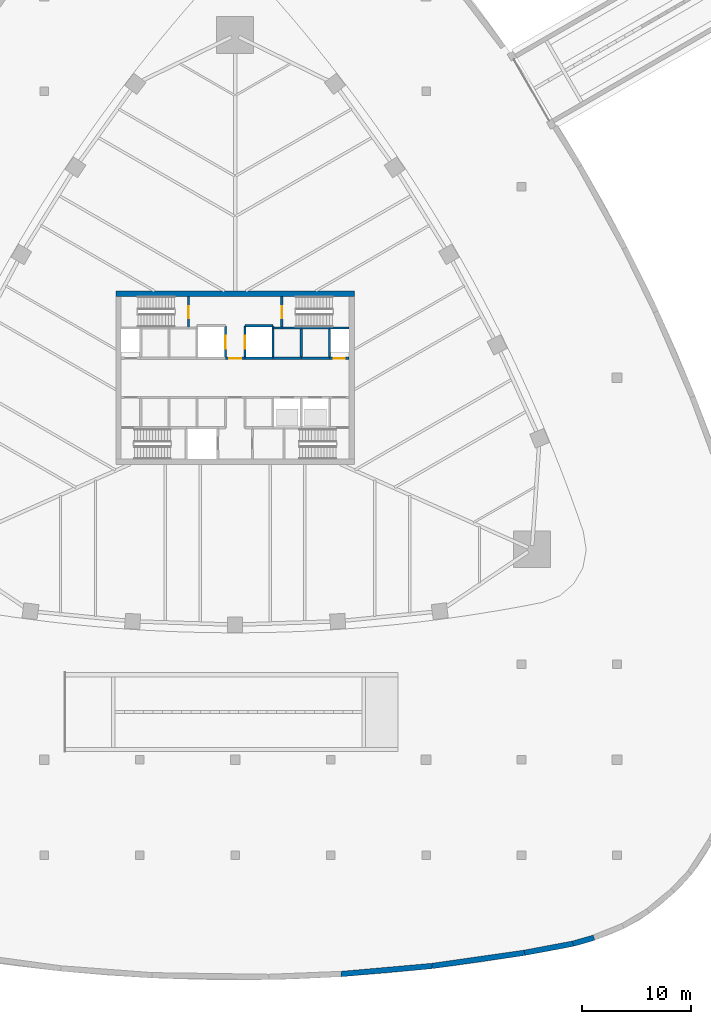
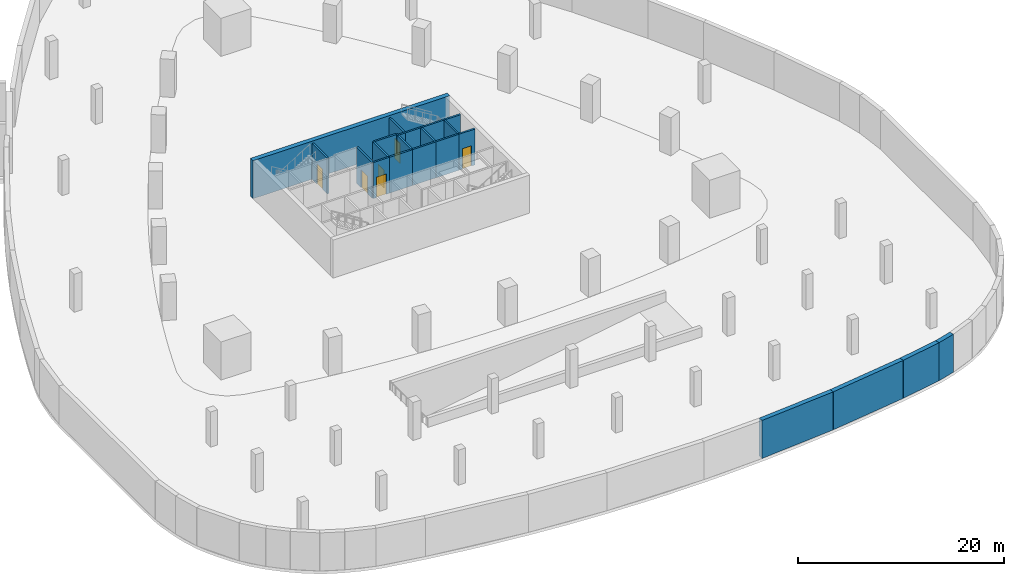
# One storey, part 5 of 10: 23 walls, 6 doors, 6 openings.
"""IFC4 building model written with IfcOpenShell, lengths in metres."""

from ifc_helpers import new_model, si_unit, direction, frame, frame_2d, origin, place, context, subcontext, project, spatial, rectangle, extrude, material, layer, layer_set, type_object, element, fill, save


model = new_model("IFC4")

# Units and contexts
model_context = context("Model", 3, precision=1e-05, world=origin(), true_north=direction((0.0, 1.0)))
body_context = subcontext(model_context, "Body", "Model", "MODEL_VIEW")
ifc_project = project(units=[si_unit("LENGTHUNIT", "METRE"), si_unit("AREAUNIT", "SQUARE_METRE"), si_unit("VOLUMEUNIT", "CUBIC_METRE"), si_unit("PLANEANGLEUNIT", "RADIAN"), si_unit("MASSUNIT", "GRAM", prefix="KILO")], contexts=[model_context])

# Site, building, storey
site_placement = place(None, origin())
site = spatial("IfcSite", under=ifc_project, at=site_placement, CompositionType="ELEMENT")
building_placement = place(site_placement, origin())
building = spatial("IfcBuilding", under=site, at=building_placement, Name="Sierra Prisma Convention Tower", CompositionType="ELEMENT")
storey_placement = place(building_placement, frame((0.0, 0.0, -4.5)))
storey = spatial("IfcBuildingStorey", under=building, at=storey_placement, Name="B1", CompositionType="ELEMENT", Elevation=-4.5)

# Wall, opening, door
ifc_material_1 = material(Name="Concrete C30/37", Category="concrete")
ifc_layer_1 = layer(ifc_material_1, 0.199951171875)
ifc_layer_set_1 = layer_set([ifc_layer_1], Name="Core wall RC 200 C30/37")
wall_type_1 = type_object("IfcWallType", Name="Core wall RC 200 C30/37", PredefinedType="SOLIDWALL", material=ifc_layer_set_1)
wall_1_placement = place(storey_placement, frame((-4.300048828125, 4.60009765625, 0.0), z_axis=(0.0, 0.0, 1.0), x_axis=(0.0, 1.0, 0.0)))
wall_1 = element("IfcWall", 1, at=wall_1_placement, inside=storey, type_object=wall_type_1, Name="Core wall B1 20", PredefinedType="SOLIDWALL", context=body_context, shape_type="SweptSolid", body=[
    extrude(rectangle(XDim=2.89990234375, YDim=0.199951171875, at=frame_2d((1.449951171875, 0.0))), origin(), (0.0, 0.0, 1.0), 4.25),
])
opening_1_placement = place(wall_1_placement, frame((0.89990234375, 0.0, 0.0)))
opening_1 = element("IfcOpeningElement", 2, at=opening_1_placement, cuts=wall_1, Name="Opening B1-D014", PredefinedType="OPENING", context=body_context, shape_type="SweptSolid", body=[
    extrude(rectangle(XDim=1.10009765625, YDim=2.39990234375, at=frame_2d((0.550048828125, 1.199951171875))), frame((0.0, 0.10009765625, 0.0), z_axis=(0.0, -1.0, 0.0), x_axis=(1.0, 0.0, 0.0)), (0.0, 0.0, 1.0), 0.199951171875),
])
ifc_material_2 = material(Name="Steel fire door leaf", Category="steel")
door_type_1 = type_object("IfcDoorType", Name="Door 1100x2400 FD90S", OperationType="SINGLE_SWING_LEFT", PredefinedType="DOOR", material=ifc_material_2)
door_1_placement = place(opening_1_placement, origin())
door_1 = element("IfcDoor", 3, at=door_1_placement, inside=storey, type_object=door_type_1, Name="Door B1 14", OperationType="SINGLE_SWING_RIGHT", OverallHeight=2.39990234375, OverallWidth=1.10009765625, PredefinedType="DOOR", context=body_context, shape_type="SweptSolid", body=[
    extrude(rectangle(XDim=1.10009765625, YDim=2.39990234375, at=frame_2d((0.550048828125, 1.199951171875))), frame((0.0, 0.02490234375, 0.0), z_axis=(0.0, -1.0, 0.0), x_axis=(1.0, 0.0, 0.0)), (0.0, 0.0, 1.0), 0.050048828125),
])
fill(opening_1, door_1)

wall_2_placement = place(storey_placement, frame((-0.89990234375, 1.800048828125, 0.0), z_axis=(0.0, 0.0, 1.0), x_axis=(0.0, 1.0, 0.0)))
wall_2 = element("IfcWall", 4, at=wall_2_placement, inside=storey, type_object=wall_type_1, Name="Core wall B1 26", PredefinedType="SOLIDWALL", context=body_context, shape_type="SweptSolid", body=[
    extrude(rectangle(XDim=3.0, YDim=0.199951171875, at=frame_2d((1.5, 0.0))), origin(), (0.0, 0.0, 1.0), 4.25),
])
opening_2_placement = place(wall_2_placement, frame((0.89990234375, 0.0, 0.0)))
opening_2 = element("IfcOpeningElement", 5, at=opening_2_placement, cuts=wall_2, Name="Opening B1-D003", PredefinedType="OPENING", context=body_context, shape_type="SweptSolid", body=[
    extrude(rectangle(XDim=1.199951171875, YDim=2.10009765625, at=frame_2d((0.60009765625, 1.050048828125))), frame((0.0, 0.10009765625, 0.0), z_axis=(0.0, -1.0, 0.0), x_axis=(1.0, 0.0, 0.0)), (0.0, 0.0, 1.0), 0.199951171875),
])
ifc_material_3 = material(Name="Steel fire door leaf", Category="steel")
door_type_2 = type_object("IfcDoorType", Name="Door 1200x2100 EI 90 sliding lift landing", OperationType="SLIDING_TO_LEFT", PredefinedType="DOOR", material=ifc_material_3)
door_2_placement = place(opening_2_placement, origin())
door_2 = element("IfcDoor", 6, at=door_2_placement, inside=storey, type_object=door_type_2, Name="Door B1 3", OperationType="SLIDING_TO_LEFT", OverallHeight=2.10009765625, OverallWidth=1.199951171875, PredefinedType="DOOR", context=body_context, shape_type="SweptSolid", body=[
    extrude(rectangle(XDim=1.199951171875, YDim=2.10009765625, at=frame_2d((0.60009765625, 1.050048828125))), frame((0.0, 0.02490234375, 0.0), z_axis=(0.0, -1.0, 0.0), x_axis=(1.0, 0.0, 0.0)), (0.0, 0.0, 1.0), 0.050048828125),
])
fill(opening_2, door_2)

wall_3_placement = place(storey_placement, frame((0.89990234375, 1.800048828125, 0.0), z_axis=(0.0, 0.0, 1.0), x_axis=(-1.0, 0.0, 0.0)))
wall_3 = element("IfcWall", 7, at=wall_3_placement, inside=storey, type_object=wall_type_1, Name="Core wall B1 33", PredefinedType="SOLIDWALL", context=body_context, shape_type="SweptSolid", body=[
    extrude(rectangle(XDim=1.7998046875, YDim=0.199951171875, at=frame_2d((0.89990234375, 0.0))), origin(), (0.0, 0.0, 1.0), 4.25),
])
opening_3_placement = place(wall_3_placement, frame((0.35009765625, 0.0, 0.0)))
opening_3 = element("IfcOpeningElement", 8, at=opening_3_placement, cuts=wall_3, Name="Opening B1-D008", PredefinedType="OPENING", context=body_context, shape_type="SweptSolid", body=[
    extrude(rectangle(XDim=1.10009765625, YDim=2.39990234375, at=frame_2d((0.550048828125, 1.199951171875))), frame((0.0, 0.10009765625, 0.0), z_axis=(0.0, -1.0, 0.0), x_axis=(1.0, 0.0, 0.0)), (0.0, 0.0, 1.0), 0.199951171875),
])
ifc_material_4 = material(Name="Steel fire door leaf", Category="steel")
door_type_3 = type_object("IfcDoorType", Name="Door 1100x2400 FD60S", OperationType="SINGLE_SWING_LEFT", PredefinedType="DOOR", material=ifc_material_4)
door_3_placement = place(opening_3_placement, origin())
door_3 = element("IfcDoor", 9, at=door_3_placement, inside=storey, type_object=door_type_3, Name="Door B1 8", OperationType="SINGLE_SWING_RIGHT", OverallHeight=2.39990234375, OverallWidth=1.10009765625, PredefinedType="DOOR", context=body_context, shape_type="SweptSolid", body=[
    extrude(rectangle(XDim=1.10009765625, YDim=2.39990234375, at=frame_2d((0.550048828125, 1.199951171875))), frame((0.0, 0.02490234375, 0.0), z_axis=(0.0, -1.0, 0.0), x_axis=(1.0, 0.0, 0.0)), (0.0, 0.0, 1.0), 0.050048828125),
])
fill(opening_3, door_3)

# Walls
wall_4_placement = place(storey_placement, frame((3.5, 1.800048828125, 0.0), z_axis=(0.0, 0.0, 1.0), x_axis=(-1.0, 0.0, 0.0)))
element("IfcWall", 10, at=wall_4_placement, inside=storey, type_object=wall_type_1, Name="Core wall B1 37", PredefinedType="SOLIDWALL", context=body_context, shape_type="SweptSolid", body=[
    extrude(rectangle(XDim=2.60009765625, YDim=0.199951171875, at=frame_2d((1.300048828125, 0.0))), origin(), (0.0, 0.0, 1.0), 4.25),
])
wall_5_placement = place(storey_placement, frame((3.5, 4.60009765625, 0.0), z_axis=(0.0, 0.0, 1.0), x_axis=(0.0, 1.0, 0.0)))
element("IfcWall", 11, at=wall_5_placement, inside=storey, type_object=wall_type_1, Name="Core wall B1 38", PredefinedType="SOLIDWALL", context=body_context, shape_type="SweptSolid", body=[
    extrude(rectangle(XDim=0.199951171875, YDim=0.199951171875, at=frame_2d((0.10009765625, 0.0))), origin(), (0.0, 0.0, 1.0), 4.25),
])
wall_6_placement = place(storey_placement, frame((3.5, 4.800048828125, 0.0), z_axis=(0.0, 0.0, 1.0), x_axis=(-1.0, 0.0, 0.0)))
element("IfcWall", 12, at=wall_6_placement, inside=storey, type_object=wall_type_1, Name="Core wall B1 39", PredefinedType="SOLIDWALL", context=body_context, shape_type="SweptSolid", body=[
    extrude(rectangle(XDim=2.60009765625, YDim=0.199951171875, at=frame_2d((1.300048828125, 0.0))), origin(), (0.0, 0.0, 1.0), 4.25),
])

# Wall, opening, door
wall_7_placement = place(storey_placement, frame((0.89990234375, 4.800048828125, 0.0), z_axis=(0.0, 0.0, 1.0), x_axis=(0.0, -1.0, 0.0)))
wall_7 = element("IfcWall", 13, at=wall_7_placement, inside=storey, type_object=wall_type_1, Name="Core wall B1 40", PredefinedType="SOLIDWALL", context=body_context, shape_type="SweptSolid", body=[
    extrude(rectangle(XDim=3.0, YDim=0.199951171875, at=frame_2d((1.5, 0.0))), origin(), (0.0, 0.0, 1.0), 4.25),
])
opening_4_placement = place(wall_7_placement, frame((0.89990234375, 0.0, 0.0)))
opening_4 = element("IfcOpeningElement", 14, at=opening_4_placement, cuts=wall_7, Name="Opening B1-D004", PredefinedType="OPENING", context=body_context, shape_type="SweptSolid", body=[
    extrude(rectangle(XDim=1.199951171875, YDim=2.10009765625, at=frame_2d((0.60009765625, 1.050048828125))), frame((0.0, 0.10009765625, 0.0), z_axis=(0.0, -1.0, 0.0), x_axis=(1.0, 0.0, 0.0)), (0.0, 0.0, 1.0), 0.199951171875),
])
door_4_placement = place(opening_4_placement, origin())
door_4 = element("IfcDoor", 15, at=door_4_placement, inside=storey, type_object=door_type_2, Name="Door B1 4", OperationType="SLIDING_TO_RIGHT", OverallHeight=2.10009765625, OverallWidth=1.199951171875, PredefinedType="DOOR", context=body_context, shape_type="SweptSolid", body=[
    extrude(rectangle(XDim=1.199951171875, YDim=2.10009765625, at=frame_2d((0.60009765625, 1.050048828125))), frame((0.0, 0.02490234375, 0.0), z_axis=(0.0, -1.0, 0.0), x_axis=(1.0, 0.0, 0.0)), (0.0, 0.0, 1.0), 0.050048828125),
])
fill(opening_4, door_4)

# Walls
wall_8_placement = place(storey_placement, frame((6.10009765625, 1.800048828125, 0.0), z_axis=(0.0, 0.0, 1.0), x_axis=(-1.0, 0.0, 0.0)))
element("IfcWall", 16, at=wall_8_placement, inside=storey, type_object=wall_type_1, Name="Core wall B1 46", PredefinedType="SOLIDWALL", context=body_context, shape_type="SweptSolid", body=[
    extrude(rectangle(XDim=2.60009765625, YDim=0.199951171875, at=frame_2d((1.300048828125, 0.0))), origin(), (0.0, 0.0, 1.0), 4.25),
])
wall_9_placement = place(storey_placement, frame((3.5, 1.800048828125, 0.0), z_axis=(0.0, 0.0, 1.0), x_axis=(0.0, 1.0, 0.0)))
element("IfcWall", 17, at=wall_9_placement, inside=storey, type_object=wall_type_1, Name="Core wall B1 47", PredefinedType="SOLIDWALL", context=body_context, shape_type="SweptSolid", body=[
    extrude(rectangle(XDim=2.800048828125, YDim=0.199951171875, at=frame_2d((1.39990234375, 0.0))), origin(), (0.0, 0.0, 1.0), 4.25),
])
wall_10_placement = place(storey_placement, frame((4.300048828125, 4.60009765625, 0.0), z_axis=(0.0, 0.0, 1.0), x_axis=(-1.0, 0.0, 0.0)))
element("IfcWall", 18, at=wall_10_placement, inside=storey, type_object=wall_type_1, Name="Core wall B1 48", PredefinedType="SOLIDWALL", context=body_context, shape_type="SweptSolid", body=[
    extrude(rectangle(XDim=0.800048828125, YDim=0.199951171875, at=frame_2d((0.39990234375, 0.0))), origin(), (0.0, 0.0, 1.0), 4.25),
])
wall_11_placement = place(storey_placement, frame((6.10009765625, 4.60009765625, 0.0), z_axis=(0.0, 0.0, 1.0), x_axis=(-1.0, 0.0, 0.0)))
element("IfcWall", 19, at=wall_11_placement, inside=storey, type_object=wall_type_1, Name="Core wall B1 49", PredefinedType="SOLIDWALL", context=body_context, shape_type="SweptSolid", body=[
    extrude(rectangle(XDim=1.800048828125, YDim=0.199951171875, at=frame_2d((0.89990234375, 0.0))), origin(), (0.0, 0.0, 1.0), 4.25),
])

# Wall, opening, door
wall_12_placement = place(storey_placement, frame((4.300048828125, 7.5, 0.0), z_axis=(0.0, 0.0, 1.0), x_axis=(0.0, -1.0, 0.0)))
wall_12 = element("IfcWall", 20, at=wall_12_placement, inside=storey, type_object=wall_type_1, Name="Core wall B1 50", PredefinedType="SOLIDWALL", context=body_context, shape_type="SweptSolid", body=[
    extrude(rectangle(XDim=2.89990234375, YDim=0.199951171875, at=frame_2d((1.449951171875, 0.0))), origin(), (0.0, 0.0, 1.0), 4.25),
])
opening_5_placement = place(wall_12_placement, frame((0.89990234375, 0.0, 0.0)))
opening_5 = element("IfcOpeningElement", 21, at=opening_5_placement, cuts=wall_12, Name="Opening B1-D015", PredefinedType="OPENING", context=body_context, shape_type="SweptSolid", body=[
    extrude(rectangle(XDim=1.10009765625, YDim=2.39990234375, at=frame_2d((0.550048828125, 1.199951171875))), frame((0.0, 0.10009765625, 0.0), z_axis=(0.0, -1.0, 0.0), x_axis=(1.0, 0.0, 0.0)), (0.0, 0.0, 1.0), 0.199951171875),
])
door_5_placement = place(opening_5_placement, origin())
door_5 = element("IfcDoor", 22, at=door_5_placement, inside=storey, type_object=door_type_1, Name="Door B1 15", OperationType="SINGLE_SWING_RIGHT", OverallHeight=2.39990234375, OverallWidth=1.10009765625, PredefinedType="DOOR", context=body_context, shape_type="SweptSolid", body=[
    extrude(rectangle(XDim=1.10009765625, YDim=2.39990234375, at=frame_2d((0.550048828125, 1.199951171875))), frame((0.0, 0.02490234375, 0.0), z_axis=(0.0, -1.0, 0.0), x_axis=(1.0, 0.0, 0.0)), (0.0, 0.0, 1.0), 0.050048828125),
])
fill(opening_5, door_5)

# Walls
wall_13_placement = place(storey_placement, frame((8.699951171875, 1.800048828125, 0.0), z_axis=(0.0, 0.0, 1.0), x_axis=(-1.0, 0.0, 0.0)))
element("IfcWall", 23, at=wall_13_placement, inside=storey, type_object=wall_type_1, Name="Core wall B1 56", PredefinedType="SOLIDWALL", context=body_context, shape_type="SweptSolid", body=[
    extrude(rectangle(XDim=2.599853515625, YDim=0.199951171875, at=frame_2d((1.2998046875, 0.0))), origin(), (0.0, 0.0, 1.0), 4.25),
])
wall_14_placement = place(storey_placement, frame((6.10009765625, 1.800048828125, 0.0), z_axis=(0.0, 0.0, 1.0), x_axis=(0.0, 1.0, 0.0)))
element("IfcWall", 24, at=wall_14_placement, inside=storey, type_object=wall_type_1, Name="Core wall B1 57", PredefinedType="SOLIDWALL", context=body_context, shape_type="SweptSolid", body=[
    extrude(rectangle(XDim=2.800048828125, YDim=0.199951171875, at=frame_2d((1.39990234375, 0.0))), origin(), (0.0, 0.0, 1.0), 4.25),
])
wall_15_placement = place(storey_placement, frame((8.699951171875, 4.60009765625, 0.0), z_axis=(0.0, 0.0, 1.0), x_axis=(-1.0, 0.0, 0.0)))
element("IfcWall", 25, at=wall_15_placement, inside=storey, type_object=wall_type_1, Name="Core wall B1 58", PredefinedType="SOLIDWALL", context=body_context, shape_type="SweptSolid", body=[
    extrude(rectangle(XDim=2.599853515625, YDim=0.199951171875, at=frame_2d((1.2998046875, 0.0))), origin(), (0.0, 0.0, 1.0), 4.25),
])

# Wall, opening, door
wall_16_placement = place(storey_placement, frame((10.5, 1.800048828125, 0.0), z_axis=(0.0, 0.0, 1.0), x_axis=(-1.0, 0.0, 0.0)))
wall_16 = element("IfcWall", 26, at=wall_16_placement, inside=storey, type_object=wall_type_1, Name="Core wall B1 62", PredefinedType="SOLIDWALL", context=body_context, shape_type="SweptSolid", body=[
    extrude(rectangle(XDim=1.800048828125, YDim=0.199951171875, at=frame_2d((0.89990234375, 0.0))), origin(), (0.0, 0.0, 1.0), 4.25),
])
opening_6_placement = place(wall_16_placement, frame((0.39990234375, 0.0, 0.0)))
opening_6 = element("IfcOpeningElement", 27, at=opening_6_placement, cuts=wall_16, Name="Opening B1-D011", PredefinedType="OPENING", context=body_context, shape_type="SweptSolid", body=[
    extrude(rectangle(XDim=1.0, YDim=2.39990234375, at=frame_2d((0.5, 1.199951171875))), frame((0.0, 0.10009765625, 0.0), z_axis=(0.0, -1.0, 0.0), x_axis=(1.0, 0.0, 0.0)), (0.0, 0.0, 1.0), 0.199951171875),
])
ifc_material_5 = material(Name="Steel fire door leaf", Category="steel")
door_type_4 = type_object("IfcDoorType", Name="Door 1000x2400 FD60S", OperationType="SINGLE_SWING_LEFT", PredefinedType="DOOR", material=ifc_material_5)
door_6_placement = place(opening_6_placement, origin())
door_6 = element("IfcDoor", 28, at=door_6_placement, inside=storey, type_object=door_type_4, Name="Door B1 11", OperationType="SINGLE_SWING_LEFT", OverallHeight=2.39990234375, OverallWidth=1.0, PredefinedType="DOOR", context=body_context, shape_type="SweptSolid", body=[
    extrude(rectangle(XDim=1.0, YDim=2.39990234375, at=frame_2d((0.5, 1.199951171875))), frame((0.0, 0.02490234375, 0.0), z_axis=(0.0, -1.0, 0.0), x_axis=(1.0, 0.0, 0.0)), (0.0, 0.0, 1.0), 0.050048828125),
])
fill(opening_6, door_6)

# Walls
wall_17_placement = place(storey_placement, frame((8.699951171875, 4.60009765625, 0.0), z_axis=(0.0, 0.0, 1.0), x_axis=(0.0, -1.0, 0.0)))
element("IfcWall", 29, at=wall_17_placement, inside=storey, type_object=wall_type_1, Name="Core wall B1 63", PredefinedType="SOLIDWALL", context=body_context, shape_type="SweptSolid", body=[
    extrude(rectangle(XDim=2.800048828125, YDim=0.199951171875, at=frame_2d((1.39990234375, 0.0))), origin(), (0.0, 0.0, 1.0), 4.25),
])
wall_18_placement = place(storey_placement, frame((10.5, 4.60009765625, 0.0), z_axis=(0.0, 0.0, 1.0), x_axis=(-1.0, 0.0, 0.0)))
element("IfcWall", 30, at=wall_18_placement, inside=storey, type_object=wall_type_1, Name="Core wall B1 64", PredefinedType="SOLIDWALL", context=body_context, shape_type="SweptSolid", body=[
    extrude(rectangle(XDim=1.800048828125, YDim=0.199951171875, at=frame_2d((0.89990234375, 0.0))), origin(), (0.0, 0.0, 1.0), 4.25),
])
ifc_material_6 = material(Name="Concrete C70/85", Category="concrete")
ifc_layer_2 = layer(ifc_material_6, 0.5)
ifc_layer_set_2 = layer_set([ifc_layer_2], Name="Core wall RC 500 C70/85")
wall_type_2 = type_object("IfcWallType", Name="Core wall RC 500 C70/85", PredefinedType="SHEAR", material=ifc_layer_set_2)
wall_19_placement = place(storey_placement, frame((-11.0, 7.75, 0.0), z_axis=(0.0, 0.0, 1.0), x_axis=(1.0, 0.0, 0.0)))
element("IfcWall", 31, at=wall_19_placement, inside=storey, type_object=wall_type_2, Name="Core wall N B1", PredefinedType="SHEAR", context=body_context, shape_type="SweptSolid", body=[
    extrude(rectangle(XDim=22.0, YDim=0.5, at=frame_2d((11.0, 0.0))), origin(), (0.0, 0.0, 1.0), 4.5),
])
ifc_material_7 = material(Name="Concrete C40/50", Category="concrete")
ifc_layer_3 = layer(ifc_material_7, 0.5)
ifc_layer_set_3 = layer_set([ifc_layer_3], Name="Retaining wall 500")
wall_type_3 = type_object("IfcWallType", Name="Retaining wall 500", PredefinedType="SOLIDWALL", material=ifc_layer_set_3)
wall_20_placement = place(storey_placement, frame((33.071044921875, -51.5966796875, 0.0), z_axis=(0.0, 0.0, 1.0), x_axis=(-0.961371932125, -0.275252626006, 0.0)))
element("IfcWall", 32, at=wall_20_placement, inside=storey, type_object=wall_type_3, Name="Retaining wall B1 51", PredefinedType="SOLIDWALL", context=body_context, shape_type="SweptSolid", body=[
    extrude(rectangle(XDim=2.001953125, YDim=0.5, at=frame_2d((1.0009765625, 0.0))), origin(), (0.0, 0.0, 1.0), 4.5),
])
wall_21_placement = place(storey_placement, frame((31.146484375, -52.147705078125, 0.0), z_axis=(0.0, 0.0, 1.0), x_axis=(-0.982861268325, -0.184346758111, 0.0)))
element("IfcWall", 33, at=wall_21_placement, inside=storey, type_object=wall_type_3, Name="Retaining wall B1 52", PredefinedType="SOLIDWALL", context=body_context, shape_type="SweptSolid", body=[
    extrude(rectangle(XDim=4.55712890625, YDim=0.5, at=frame_2d((2.278564453125, 0.0))), origin(), (0.0, 0.0, 1.0), 4.5),
])
wall_22_placement = place(storey_placement, frame((26.66748046875, -52.98779296875, 0.0), z_axis=(0.0, 0.0, 1.0), x_axis=(-0.989933049024, -0.141536420935, 0.0)))
element("IfcWall", 34, at=wall_22_placement, inside=storey, type_object=wall_type_3, Name="Retaining wall B1 53", PredefinedType="SOLIDWALL", context=body_context, shape_type="SweptSolid", body=[
    extrude(rectangle(XDim=8.6142578125, YDim=0.5, at=frame_2d((4.30712890625, 0.0))), origin(), (0.0, 0.0, 1.0), 4.5),
])
wall_23_placement = place(storey_placement, frame((18.139892578125, -54.20703125, 0.0), z_axis=(0.0, 0.0, 1.0), x_axis=(-0.99611229427, -0.088092549079, 0.0)))
element("IfcWall", 35, at=wall_23_placement, inside=storey, type_object=wall_type_3, Name="Retaining wall B1 54", PredefinedType="SOLIDWALL", context=body_context, shape_type="SweptSolid", body=[
    extrude(rectangle(XDim=8.425048828125, YDim=0.5, at=frame_2d((4.21240234375, 0.0))), origin(), (0.0, 0.0, 1.0), 4.5),
])

save(model, "model.ifc")
